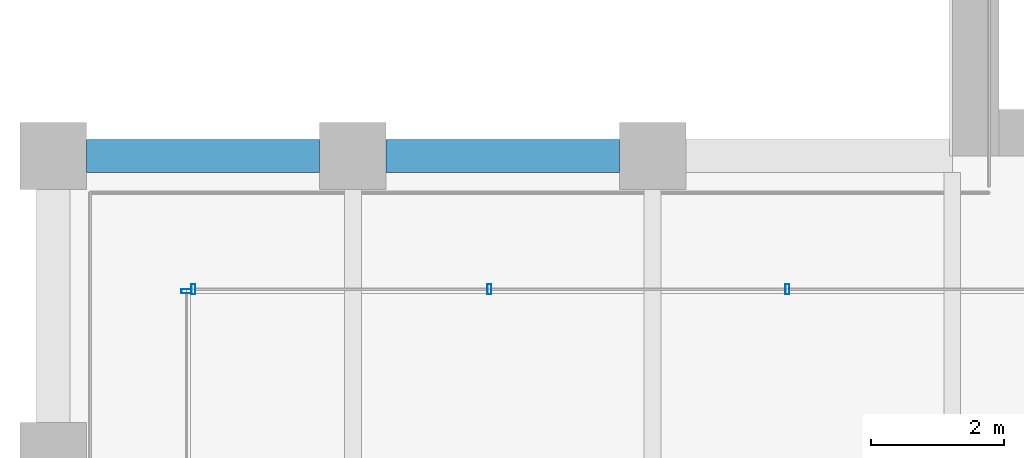
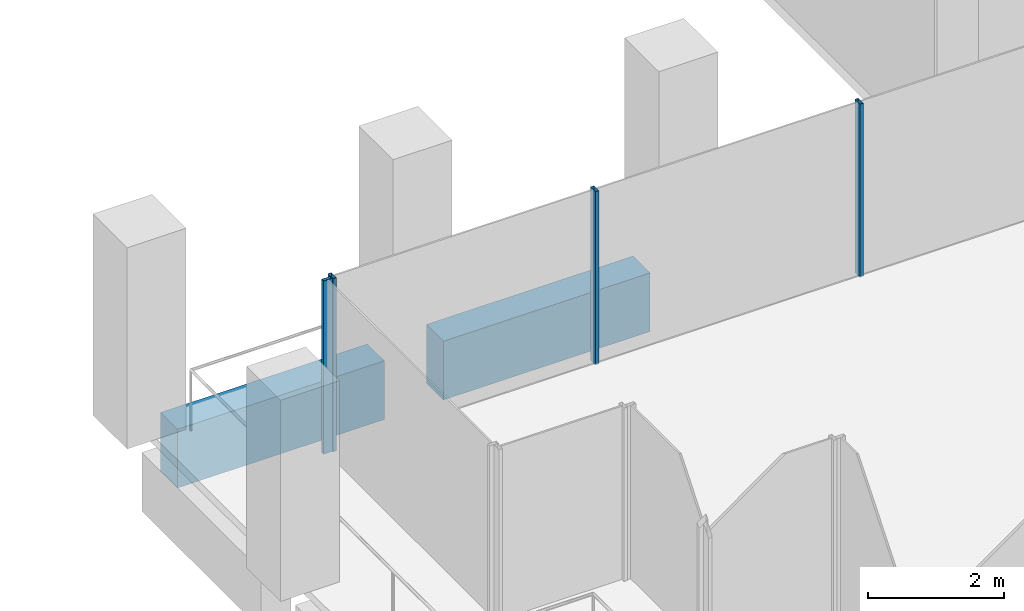
# One storey, part 5 of 46: 4 members, 2 beams, 2 elements without a shape of their own.
"""IFC4 building model written with IfcOpenShell, lengths in metres."""

from ifc_helpers import new_model, si_unit, direction, frame, origin, origin_2d, place, context, subcontext, project, spatial, rectangle, hollow_rectangle, extrude, material, material_profile, profile_set, type_object, element, aggregate, save


model = new_model("IFC4")

# Units and contexts
model_context = context("Model", 3, precision=1e-05, world=origin(), true_north=direction((0.0, 1.0)))
body_context = subcontext(model_context, "Body", "Model", "MODEL_VIEW")
ifc_project = project(units=[si_unit("LENGTHUNIT", "METRE"), si_unit("AREAUNIT", "SQUARE_METRE"), si_unit("VOLUMEUNIT", "CUBIC_METRE"), si_unit("PLANEANGLEUNIT", "RADIAN"), si_unit("MASSUNIT", "GRAM", prefix="KILO")], contexts=[model_context])

# Site, building, storey
site_placement = place(None, origin())
site = spatial("IfcSite", under=ifc_project, at=site_placement, CompositionType="ELEMENT")
building_placement = place(site_placement, origin())
building = spatial("IfcBuilding", under=site, at=building_placement, Name="Altepetl Exchange Towers", CompositionType="ELEMENT")
storey_placement = place(building_placement, frame((0.0, 0.0, 124.39990234375)))
storey = spatial("IfcBuildingStorey", under=building, at=storey_placement, Name="L30", CompositionType="ELEMENT", Elevation=124.39990234375)

# Curtain wall, members
ifc_material_1 = material(Name="Aluminium 6063-T6 glazing", Category="aluminium")
curtain_wall_type = type_object("IfcCurtainWallType", Name="Loggia glazing system", PredefinedType="NOTDEFINED", material=ifc_material_1)
curtain_wall_1_placement = place(storey_placement, origin())
curtain_wall_1 = element("IfcCurtainWall", 1, at=curtain_wall_1_placement, inside=storey, type_object=curtain_wall_type, Name="CW1 run", PredefinedType="NOTDEFINED")
ifc_material_2 = material(Name="Aluminium 6063-T6", Category="aluminium")
ifc_material_profile_1 = material_profile(ifc_material_2, hollow_rectangle(XDim=0.06005859375, YDim=0.14990234375, WallThickness=0.0029296875, at=origin_2d()), Name="Mullion 60x150 aluminium")
ifc_profile_set_1 = profile_set([ifc_material_profile_1], Name="Aluminium 6063-T6")
member_type = type_object("IfcMemberType", Name="Mullion 60x150 aluminium", PredefinedType="MULLION", material=ifc_profile_set_1)
member_1_placement = place(storey_placement, frame((38.02490234375, 38.5, 0.0), z_axis=(0.0, 0.0, 1.0), x_axis=(-1.0, 0.0, 0.0)))
member_1 = element("IfcMember", 2, at=member_1_placement, type_object=member_type, Name="MU1 mullion", PredefinedType="MULLION", context=body_context, shape_type="SweptSolid", body=[
    extrude(hollow_rectangle(XDim=0.06005859375, YDim=0.14990234375, WallThickness=0.0029296875, at=origin_2d()), origin(), (0.0, 0.0, 1.0), 3.10009765625),
])
member_2_placement = place(storey_placement, frame((33.550048828125, 38.5, 0.0), z_axis=(0.0, 0.0, 1.0), x_axis=(-1.0, 0.0, 0.0)))
member_2 = element("IfcMember", 3, at=member_2_placement, type_object=member_type, Name="MU1 mullion", PredefinedType="MULLION", context=body_context, shape_type="SweptSolid", body=[
    extrude(hollow_rectangle(XDim=0.06005859375, YDim=0.14990234375, WallThickness=0.0029296875, at=origin_2d()), origin(), (0.0, 0.0, 1.0), 3.10009765625),
])
member_3_placement = place(storey_placement, frame((29.10498046875, 38.5, 0.0), z_axis=(0.0, 0.0, 1.0), x_axis=(-1.0, 0.0, 0.0)))
member_3 = element("IfcMember", 4, at=member_3_placement, type_object=member_type, Name="MU1 mullion", PredefinedType="MULLION", context=body_context, shape_type="SweptSolid", body=[
    extrude(hollow_rectangle(XDim=0.06005859375, YDim=0.14990234375, WallThickness=0.0029296875, at=origin_2d()), origin(), (0.0, 0.0, 1.0), 3.10009765625),
])
aggregate(curtain_wall_1, [member_1, member_2, member_3])

# Curtain wall, member
curtain_wall_2_placement = place(storey_placement, origin())
curtain_wall_2 = element("IfcCurtainWall", 5, at=curtain_wall_2_placement, inside=storey, type_object=curtain_wall_type, Name="CW1 run", PredefinedType="NOTDEFINED")
member_4_placement = place(storey_placement, frame((29.0, 38.469970703125, 0.0), z_axis=(0.0, 0.0, 1.0), x_axis=(0.0, -1.0, 0.0)))
member_4 = element("IfcMember", 6, at=member_4_placement, type_object=member_type, Name="MU1 mullion", PredefinedType="MULLION", context=body_context, shape_type="SweptSolid", body=[
    extrude(hollow_rectangle(XDim=0.06005859375, YDim=0.14990234375, WallThickness=0.0029296875, at=origin_2d()), origin(), (0.0, 0.0, 1.0), 3.10009765625),
])
aggregate(curtain_wall_2, [member_4])

# Beams
ifc_material_3 = material(Name="Concrete C50/60 precast with tezontle facing", Category="concrete")
ifc_material_profile_2 = material_profile(ifc_material_3, rectangle(XDim=0.5, YDim=1.050048828125, at=origin_2d()), Name="500 x 1050")
ifc_profile_set_2 = profile_set([ifc_material_profile_2], Name="Concrete C50/60 precast with tezontle facing")
beam_type = type_object("IfcBeamType", Name="Spandrel beam 500x1050 tezontle", PredefinedType="SPANDREL", material=ifc_profile_set_2)
for number, where, z_axis, x_axis, name in (
    (7, (35.5, 40.5, -0.6748046875), (-1.0, 0.0, 0.0), (0.0, -1.0, 0.0), "sp:A:L30:034"),
    (8, (31.0, 40.5, -0.6748046875), (-1.0, 0.0, 0.0), (0.0, -1.0, 0.0), "sp:A:L30:035"),
):
    element("IfcBeam", number, at=place(storey_placement, frame(where, z_axis=z_axis, x_axis=x_axis)), inside=storey, type_object=beam_type, Name=name, PredefinedType="SPANDREL", context=body_context, shape_type="SweptSolid", body=[
        extrude(rectangle(XDim=0.5, YDim=1.050048828125, at=origin_2d()), origin(), (0.0, 0.0, 1.0), 3.5),
    ])

save(model, "model.ifc")
